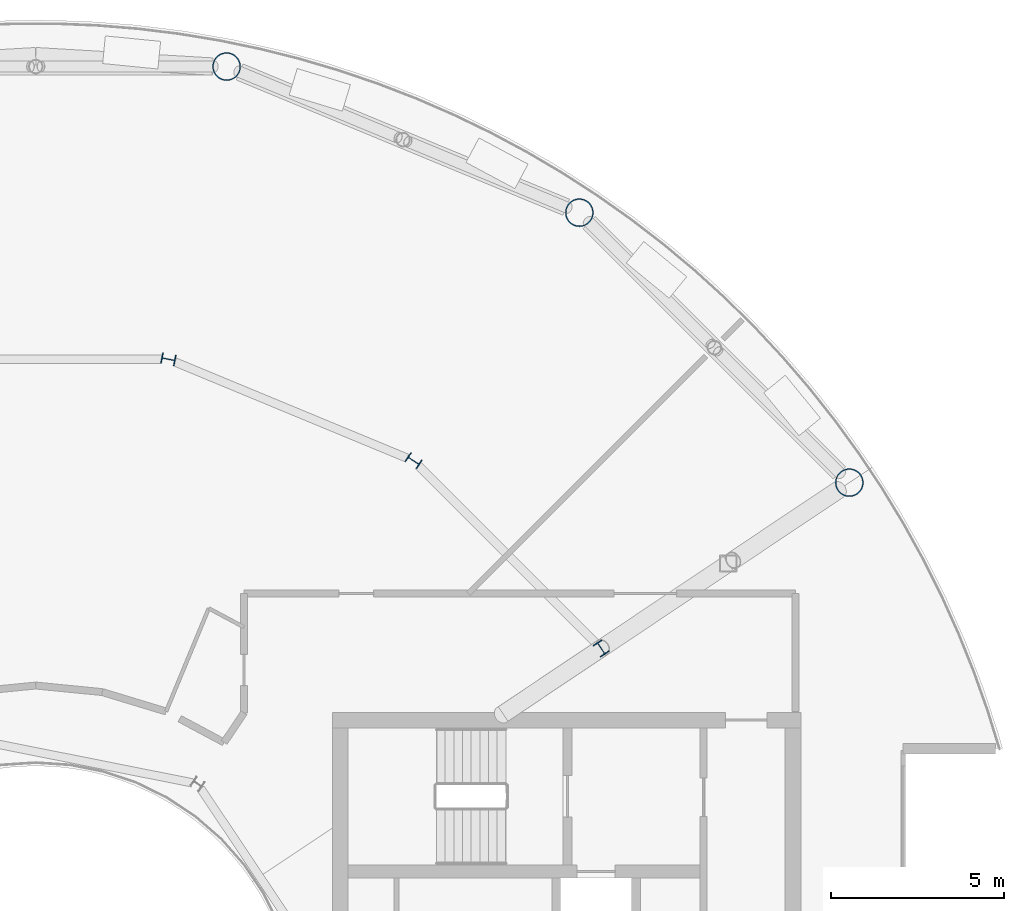
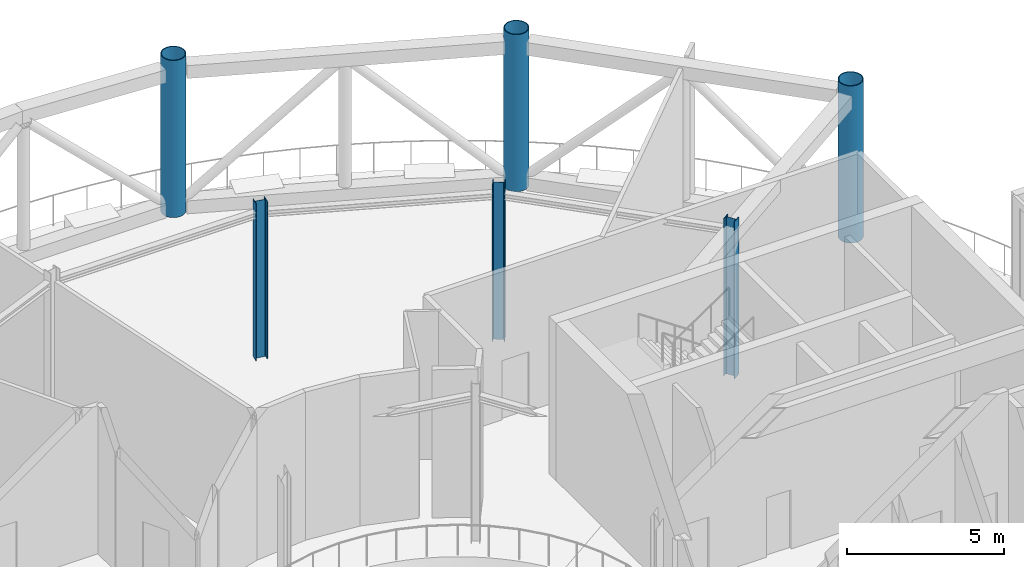
# One storey, part 4 of 24: 6 columns.
"""IFC4 building model written with IfcOpenShell, lengths in metres."""

from ifc_helpers import new_model, si_unit, direction, frame, origin, origin_2d, place, context, subcontext, project, spatial, hollow_circle, i_section, extrude, material, material_profile, profile_set, type_object, element, save


model = new_model("IFC4")

# Units and contexts
model_context = context("Model", 3, precision=1e-05, world=origin(), true_north=direction((0.0, 1.0)))
body_context = subcontext(model_context, "Body", "Model", "MODEL_VIEW")
ifc_project = project(units=[si_unit("LENGTHUNIT", "METRE"), si_unit("AREAUNIT", "SQUARE_METRE"), si_unit("VOLUMEUNIT", "CUBIC_METRE"), si_unit("PLANEANGLEUNIT", "RADIAN"), si_unit("MASSUNIT", "GRAM", prefix="KILO")], contexts=[model_context])

# Site, building, storey
site_placement = place(None, origin())
site = spatial("IfcSite", under=ifc_project, at=site_placement, CompositionType="ELEMENT")
building_placement = place(site_placement, origin())
building = spatial("IfcBuilding", under=site, at=building_placement, Name="Maasbend Ring Residences", CompositionType="ELEMENT")
storey_placement = place(building_placement, frame((0.0, 0.0, 221.85009765625)))
storey = spatial("IfcBuildingStorey", under=building, at=storey_placement, Name="L64", CompositionType="ELEMENT", Elevation=221.85009765625)

# Columns
ifc_material_1 = material(Name="Composite concrete-filled steel tube S460NH / C80/95", Category="concrete")
ifc_material_profile_1 = material_profile(ifc_material_1, hollow_circle(Radius=0.406494140625, WallThickness=0.030029296875, at=origin_2d()), Name="Composite tube column CHS 813x30")
ifc_profile_set_1 = profile_set([ifc_material_profile_1], Name="Composite concrete-filled steel tube S460NH / C80/95")
column_type_1 = type_object("IfcColumnType", Name="Composite tube column CHS 813x30", PredefinedType="COLUMN", material=ifc_profile_set_1)
for number, where, z_axis, x_axis, name in (
    (1, (23.447509765625, 15.6669921875, 0.0), (0.0, 0.0, 1.0), (1.0, 0.0, 0.0), "Outer column R2"),
    (2, (15.6669921875, 23.447509765625, 0.0), (0.0, 0.0, 1.0), (1.0, 0.0, 0.0), "Outer column R3"),
    (3, (5.50146484375, 27.658203125, 0.0), (0.0, 0.0, 1.0), (1.0, 0.0, 0.0), "Outer column R4"),
):
    element("IfcColumn", number, at=place(storey_placement, frame(where, z_axis=z_axis, x_axis=x_axis)), inside=storey, type_object=column_type_1, Name=name, PredefinedType="COLUMN", context=body_context, shape_type="SweptSolid", body=[
        extrude(hollow_circle(Radius=0.406494140625, WallThickness=0.030029296875, at=origin_2d()), origin(), (0.0, 0.0, 1.0), 6.099853515625),
    ])
ifc_material_2 = material(Name="Steel S355J2", Category="steel")
ifc_material_profile_2 = material_profile(ifc_material_2, i_section(OverallWidth=0.300048828125, OverallDepth=0.39990234375, WebThickness=0.013427734375, FlangeThickness=0.02392578125, FilletRadius=0.027099609375, at=origin_2d()), Name="HEB 400")
ifc_profile_set_2 = profile_set([ifc_material_profile_2], Name="Steel S355J2")
column_type_2 = type_object("IfcColumnType", Name="Steel column HEB 400", PredefinedType="COLUMN", material=ifc_profile_set_2)
for number, where, z_axis, x_axis, name in (
    (4, (16.296875, 10.88916015625, 0.0), (0.0, 0.0, 1.0), (0.831469612303, 0.55557023302, 0.0), "Corridor ring column R2"),
    (5, (10.88916015625, 16.296875, 0.0), (0.0, 0.0, 1.0), (0.55557023302, 0.831469612303, 0.0), "Corridor ring column R3"),
    (6, (3.82373046875, 19.223388671875, 0.0), (0.0, 0.0, 1.0), (0.195090322016, 0.980785280403, 0.0), "Corridor ring column R4"),
):
    element("IfcColumn", number, at=place(storey_placement, frame(where, z_axis=z_axis, x_axis=x_axis)), inside=storey, type_object=column_type_2, Name=name, PredefinedType="COLUMN", context=body_context, shape_type="SweptSolid", body=[
        extrude(i_section(OverallWidth=0.300048828125, OverallDepth=0.39990234375, WebThickness=0.013427734375, FlangeThickness=0.02392578125, FilletRadius=0.027099609375, at=origin_2d()), origin(), (0.0, 0.0, 1.0), 6.099853515625),
    ])

save(model, "model.ifc")
